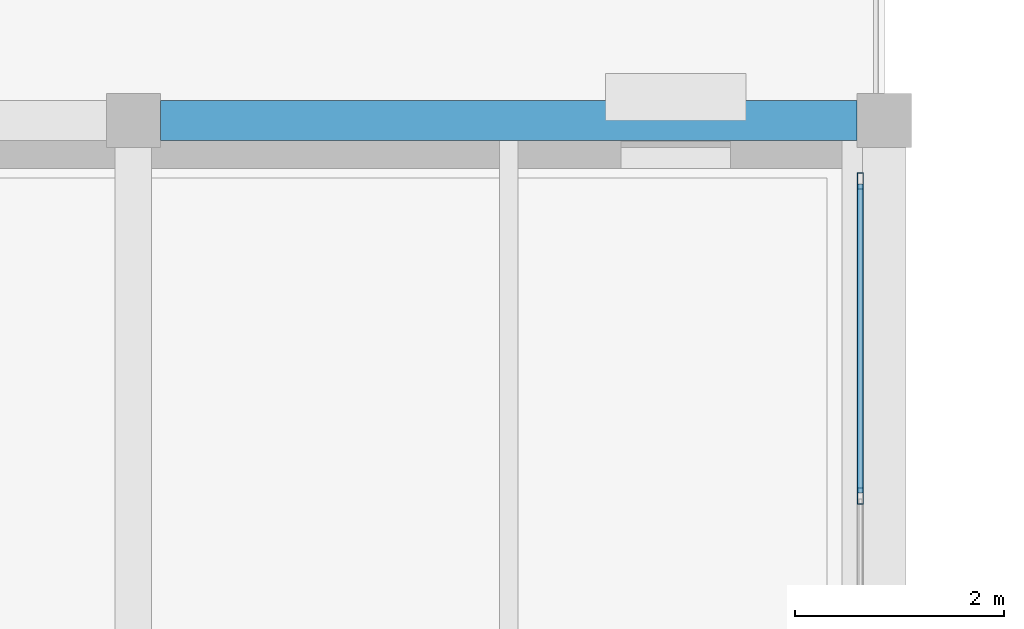
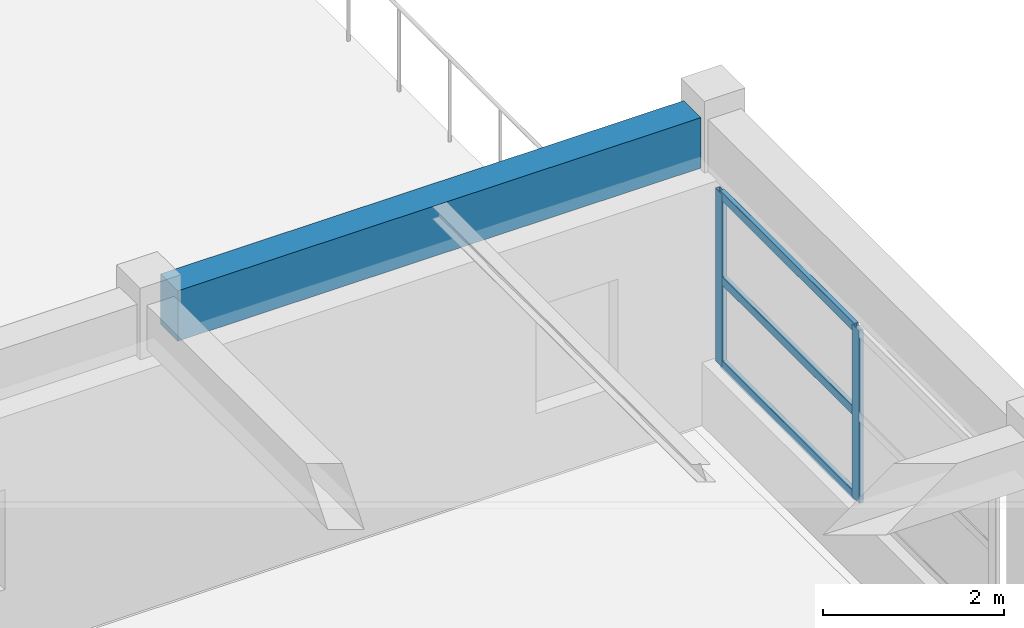
# One storey, part 19 of 67: 5 members, 1 beam, 1 element without a shape of its own.
"""IFC4 building model written with IfcOpenShell, lengths in metres."""

from ifc_helpers import new_model, si_unit, direction, frame, origin, origin_2d, place, context, subcontext, project, spatial, rectangle, hollow_rectangle, extrude, material, material_profile, profile_set, type_object, element, aggregate, save


model = new_model("IFC4")

# Units and contexts
model_context = context("Model", 3, precision=1e-05, world=origin(), true_north=direction((0.0, 1.0)))
body_context = subcontext(model_context, "Body", "Model", "MODEL_VIEW")
ifc_project = project(units=[si_unit("LENGTHUNIT", "METRE"), si_unit("AREAUNIT", "SQUARE_METRE"), si_unit("VOLUMEUNIT", "CUBIC_METRE"), si_unit("PLANEANGLEUNIT", "RADIAN"), si_unit("MASSUNIT", "GRAM", prefix="KILO")], contexts=[model_context])

# Site, building, storey
site_placement = place(None, origin())
site = spatial("IfcSite", under=ifc_project, at=site_placement, CompositionType="ELEMENT")
building_placement = place(site_placement, origin())
building = spatial("IfcBuilding", under=site, at=building_placement, Name="Bramveld Media Centre", CompositionType="ELEMENT")
storey_placement = place(building_placement, frame((0.0, 0.0, 5.39990234375)))
storey = spatial("IfcBuildingStorey", under=building, at=storey_placement, Name="L01", CompositionType="ELEMENT", Elevation=5.39990234375)

# Curtain wall, members
ifc_material_1 = material(Name="Thermally broken anodized bronze aluminium unitized curtain wall with solar-control triple glazing", Category="aluminium")
curtain_wall_type = type_object("IfcCurtainWallType", Name="CW-FACV3-6100x2330", PredefinedType="NOTDEFINED", material=ifc_material_1)
curtain_wall_placement = place(storey_placement, origin())
curtain_wall = element("IfcCurtainWall", 1, at=curtain_wall_placement, inside=storey, type_object=curtain_wall_type, Name="V3 L01 E curtain wall bay 4", PredefinedType="NOTDEFINED")
ifc_material_2 = material(Name="Thermally broken anodized bronze aluminium EN AW-6063 T6 curtain-wall framing", Category="aluminium")
ifc_material_profile_1 = material_profile(ifc_material_2, hollow_rectangle(XDim=0.06005859375, YDim=0.159912109375, WallThickness=0.00390625, InnerFilletRadius=0.00390625, OuterFilletRadius=0.008056640625, at=origin_2d()), Name="AL-MULL 60x160")
ifc_profile_set_1 = profile_set([ifc_material_profile_1], Name="Thermally broken anodized bronze aluminium EN AW-6063 T6 curtain-wall framing")
member_type_1 = type_object("IfcMemberType", Name="CW-MULL-EXT", PredefinedType="MULLION", material=ifc_profile_set_1)
member_1_placement = place(storey_placement, frame((35.77001953125, 64.39990234375, 0.85009765625), z_axis=(0.0, 0.0, 1.0), x_axis=(-1.0, 0.0, 0.0)))
member_1 = element("IfcMember", 2, at=member_1_placement, type_object=member_type_1, Name="CW-FA-6123 mullion 2", PredefinedType="MULLION", context=body_context, shape_type="SweptSolid", body=[
    extrude(hollow_rectangle(XDim=0.06005859375, YDim=0.159912109375, WallThickness=0.00390625, InnerFilletRadius=0.00390625, OuterFilletRadius=0.008056640625, at=origin_2d()), origin(), (0.0, 0.0, 1.0), 2.330078125),
])
member_2_placement = place(storey_placement, frame((35.77001953125, 67.419921875, 0.85009765625), z_axis=(0.0, 0.0, 1.0), x_axis=(-1.0, 0.0, 0.0)))
member_2 = element("IfcMember", 3, at=member_2_placement, type_object=member_type_1, Name="CW-FA-6123 mullion 3", PredefinedType="MULLION", context=body_context, shape_type="SweptSolid", body=[
    extrude(hollow_rectangle(XDim=0.06005859375, YDim=0.159912109375, WallThickness=0.00390625, InnerFilletRadius=0.00390625, OuterFilletRadius=0.008056640625, at=origin_2d()), origin(), (0.0, 0.0, 1.0), 2.330078125),
])
ifc_material_3 = material(Name="Thermally broken anodized bronze aluminium EN AW-6063 T6 curtain-wall framing", Category="aluminium")
ifc_material_profile_2 = material_profile(ifc_material_3, hollow_rectangle(XDim=0.06005859375, YDim=0.1201171875, WallThickness=0.00341796875, InnerFilletRadius=0.00341796875, OuterFilletRadius=0.007080078125, at=origin_2d()), Name="AL-TRAN 60x120")
ifc_profile_set_2 = profile_set([ifc_material_profile_2], Name="Thermally broken anodized bronze aluminium EN AW-6063 T6 curtain-wall framing")
member_type_2 = type_object("IfcMemberType", Name="CW-TRAN-EXT", PredefinedType="USERDEFINED", material=ifc_profile_set_2)
member_3_placement = place(storey_placement, frame((35.77001953125, 64.429931640625, 0.880126953125), z_axis=(0.0, 1.0, 0.0), x_axis=(-1.0, 0.0, 0.0)))
member_3 = element("IfcMember", 4, at=member_3_placement, type_object=member_type_2, Name="CW-FA-6123 transom 2.1", ObjectType="TRANSOM", PredefinedType="USERDEFINED", context=body_context, shape_type="SweptSolid", body=[
    extrude(hollow_rectangle(XDim=0.06005859375, YDim=0.1201171875, WallThickness=0.00341796875, InnerFilletRadius=0.00341796875, OuterFilletRadius=0.007080078125, at=origin_2d()), origin(), (0.0, 0.0, 1.0), 2.9599609375),
])
member_4_placement = place(storey_placement, frame((35.77001953125, 64.429931640625, 2.01513671875), z_axis=(0.0, 1.0, 0.0), x_axis=(-1.0, 0.0, 0.0)))
member_4 = element("IfcMember", 5, at=member_4_placement, type_object=member_type_2, Name="CW-FA-6123 transom 2.2", ObjectType="TRANSOM", PredefinedType="USERDEFINED", context=body_context, shape_type="SweptSolid", body=[
    extrude(hollow_rectangle(XDim=0.06005859375, YDim=0.1201171875, WallThickness=0.00341796875, InnerFilletRadius=0.00341796875, OuterFilletRadius=0.007080078125, at=origin_2d()), origin(), (0.0, 0.0, 1.0), 2.9599609375),
])
member_5_placement = place(storey_placement, frame((35.77001953125, 64.429931640625, 3.150146484375), z_axis=(0.0, 1.0, 0.0), x_axis=(-1.0, 0.0, 0.0)))
member_5 = element("IfcMember", 6, at=member_5_placement, type_object=member_type_2, Name="CW-FA-6123 transom 2.3", ObjectType="TRANSOM", PredefinedType="USERDEFINED", context=body_context, shape_type="SweptSolid", body=[
    extrude(hollow_rectangle(XDim=0.06005859375, YDim=0.1201171875, WallThickness=0.00341796875, InnerFilletRadius=0.00341796875, OuterFilletRadius=0.007080078125, at=origin_2d()), origin(), (0.0, 0.0, 1.0), 2.9599609375),
])
aggregate(curtain_wall, [member_1, member_2, member_3, member_4, member_5])

# Beam
ifc_material_4 = material(Name="Concrete C40/50", Category="concrete")
ifc_material_profile_3 = material_profile(ifc_material_4, rectangle(XDim=0.3798828125, YDim=0.679931640625, at=origin_2d()), Name="RC 380x680")
ifc_profile_set_3 = profile_set([ifc_material_profile_3], Name="Concrete C40/50")
beam_type = type_object("IfcBeamType", Name="SPANDREL-EXT-RC-380x680", PredefinedType="SPANDREL", material=ifc_profile_set_3)
beam_placement = place(storey_placement, frame((29.06005859375, 68.0, 3.60009765625), z_axis=(1.0, 0.0, 0.0), x_axis=(0.0, 1.0, 0.0)))
element("IfcBeam", 7, at=beam_placement, inside=storey, type_object=beam_type, Name="V3 L01 girder X-281", PredefinedType="SPANDREL", context=body_context, shape_type="SweptSolid", body=[
    extrude(rectangle(XDim=0.3798828125, YDim=0.679931640625, at=origin_2d()), origin(), (0.0, 0.0, 1.0), 6.679931640625),
])

save(model, "model.ifc")
